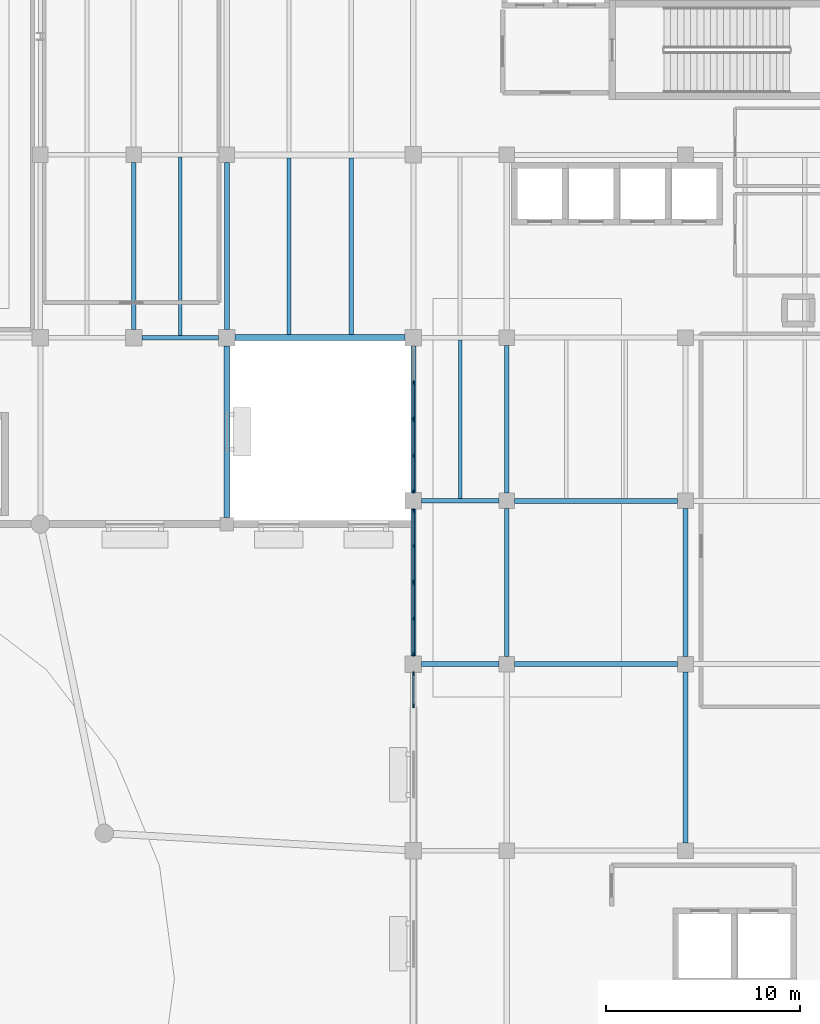
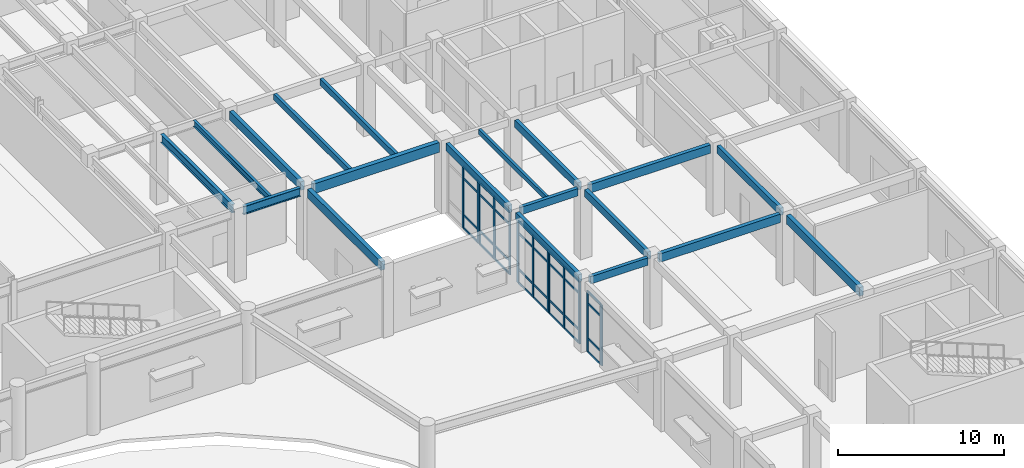
# One storey, part 19 of 54: 45 members, 19 beams, 5 elements without a shape of their own.
"""IFC4 building model written with IfcOpenShell, lengths in metres."""

import ifcopenshell
import ifcopenshell.guid

model = None  # the IFC model being written
_history = None  # IfcOwnerHistory: only IFC2X3 demands one
_inside = {}  # id of a spatial element -> (the spatial element, [elements in it])
_under = {}  # id of a project, library or spatial element -> (it, [spatial elements below it])
_declared = {}  # id of a project -> (the project, [libraries it declares])
_typed = {}  # id of a type object -> (the type object, [elements of that type])
_made_of = {}  # id of a material, layer set ... -> (it, [elements and type objects made of it])


def new_model(schema):
    """Start an empty IFC model of exactly this schema.

    Asked for "IFC4X3", IfcOpenShell would pick the latest addendum, in which some entities
    have other attributes; the version numbers below select the first issue.
    IFC2X3 requires an IfcOwnerHistory on every rooted entity: one is made here for all.
    """
    global model, _history
    if schema == "IFC4X3":
        model = ifcopenshell.file(schema_version=(4, 3, 0, 0))
    else:
        model = ifcopenshell.file(schema=schema)
    _inside.clear()
    _under.clear()
    _declared.clear()
    _typed.clear()
    _made_of.clear()
    _history = None
    if model.schema == "IFC2X3":
        org = make("IfcOrganization", Name="unknown")
        user = make(
            "IfcPersonAndOrganization",
            ThePerson=make("IfcPerson", FamilyName="unknown"),
            TheOrganization=org,
        )
        app = make(
            "IfcApplication",
            ApplicationDeveloper=org,
            Version="unknown",
            ApplicationFullName="unknown",
            ApplicationIdentifier="unknown",
        )
        _history = make(
            "IfcOwnerHistory",
            OwningUser=user,
            OwningApplication=app,
            ChangeAction="ADDED",
            CreationDate=0,
        )
    return model


def make(cls, **values):
    """One entity of the class cls with the attributes given. An attribute that is None is left unset."""
    return model.create_entity(
        cls, **{name: value for name, value in values.items() if value is not None}
    )


def rooted(cls, **values):
    """An entity with a GlobalId (a new one), such as an element, a storey or a relation."""
    return make(cls, GlobalId=ifcopenshell.guid.new(), OwnerHistory=_history, **values)


def si_unit(unit_type, name, prefix=None):
    """IfcSIUnit, for example si_unit("LENGTHUNIT", "METRE", prefix="MILLI")."""
    return make("IfcSIUnit", UnitType=unit_type, Prefix=prefix, Name=name)


def assignment(units):
    """IfcUnitAssignment: the units of a project."""
    return None if units is None else make("IfcUnitAssignment", Units=units)


def point(xyz):
    """IfcCartesianPoint."""
    return None if xyz is None else make("IfcCartesianPoint", Coordinates=xyz)


def direction(xyz):
    """IfcDirection."""
    return None if xyz is None else make("IfcDirection", DirectionRatios=xyz)


def frame(location, z_axis=None, x_axis=None):
    """IfcAxis2Placement3D, a coordinate frame: its origin and axes. An axis left out is left unset."""
    return make(
        "IfcAxis2Placement3D",
        Location=point(location),
        Axis=direction(z_axis),
        RefDirection=direction(x_axis),
    )


def frame_2d(location, x_axis=None):
    """IfcAxis2Placement2D, a coordinate frame in the plane: its origin and x axis."""
    return make(
        "IfcAxis2Placement2D", Location=point(location), RefDirection=direction(x_axis)
    )


def origin():
    """The frame at (0, 0, 0) with its axes left unset."""
    return frame((0.0, 0.0, 0.0))


def origin_2d():
    """The frame at (0, 0) in the plane with its x axis left unset."""
    return frame_2d((0.0, 0.0))


def place(relative_to, where):
    """IfcLocalPlacement: puts the frame where relative to a parent placement (None: the world)."""
    return make(
        "IfcLocalPlacement", PlacementRelTo=relative_to, RelativePlacement=where
    )


def context(
    kind, dimensions, precision=None, world=None, true_north=None, identifier=None
):
    """IfcGeometricRepresentationContext, for example the 3D "Model" context."""
    return make(
        "IfcGeometricRepresentationContext",
        ContextIdentifier=identifier,
        ContextType=kind,
        CoordinateSpaceDimension=dimensions,
        Precision=precision,
        WorldCoordinateSystem=world,
        TrueNorth=true_north,
    )


def subcontext(parent, identifier, kind, view, scale=None):
    """IfcGeometricRepresentationSubContext, for example "Body" below "Model"."""
    return make(
        "IfcGeometricRepresentationSubContext",
        ContextIdentifier=identifier,
        ContextType=kind,
        ParentContext=parent,
        TargetScale=scale,
        TargetView=view,
    )


def project(units=None, contexts=None):
    """IfcProject with its units and contexts."""
    return rooted(
        "IfcProject",
        Name="project",
        RepresentationContexts=contexts,
        UnitsInContext=assignment(units),
    )


def spatial(cls, under=None, at=None, **own):
    """A site, building, storey or space (cls), placed at a placement, below another one or the project."""
    s = rooted(cls, ObjectPlacement=at, **own)
    if under is not None:
        _under.setdefault(under.id(), (under, []))[1].append(s)
    return s


def profile(cls, at=None, kind="AREA", **sizes):
    """A parametric profile (cls). Its sizes go by their IFC names, for example OverallWidth=200.0."""
    return make(cls, ProfileType=kind, Position=at, **sizes)


def rectangle(**sizes):
    """IfcRectangleProfileDef."""
    return profile("IfcRectangleProfileDef", **sizes)


def i_section(**sizes):
    """IfcIShapeProfileDef."""
    return profile("IfcIShapeProfileDef", **sizes)


def extrude(swept, where, along, depth):
    """IfcExtrudedAreaSolid: the profile swept, set in the frame where, extruded along a direction by depth."""
    return make(
        "IfcExtrudedAreaSolid",
        SweptArea=swept,
        Position=where,
        ExtrudedDirection=direction(along),
        Depth=depth,
    )


def shape(context_of_items, identifier, shape_type, items):
    """IfcShapeRepresentation: the items that make up one representation, for example the "Body"."""
    return make(
        "IfcShapeRepresentation",
        ContextOfItems=context_of_items,
        RepresentationIdentifier=identifier,
        RepresentationType=shape_type,
        Items=items,
    )


def material(Name=None, Category=None):
    """IfcMaterial."""
    return make("IfcMaterial", Name=Name, Category=Category)


def material_profile(
    of_material, cross_section, Name=None, Category=None, Priority=None
):
    """IfcMaterialProfile: a cross section and its material."""
    return make(
        "IfcMaterialProfile",
        Name=Name,
        Material=of_material,
        Profile=cross_section,
        Priority=Priority,
        Category=Category,
    )


def profile_set(profiles, Name=None, composite=None):
    """IfcMaterialProfileSet."""
    return make(
        "IfcMaterialProfileSet",
        Name=Name,
        MaterialProfiles=profiles,
        CompositeProfile=composite,
    )


def made_of(thing, what):
    """Note that an element or type object is made of a material, layer set ...; save() writes the relation."""
    if what is not None:
        _made_of.setdefault(what.id(), (what, []))[1].append(thing)
    return thing


def type_object(cls, material=None, **own):
    """A type object (cls), such as IfcWallType, which elements share."""
    return made_of(rooted(cls, **own), material)


def element(
    cls,
    number,
    at=None,
    inside=None,
    cuts=None,
    type_object=None,
    material=None,
    context=None,
    identifier="Body",
    shape_type=None,
    held_by="IfcProductDefinitionShape",
    body=None,
    shapes=None,
    **own,
):
    """One element of the class cls, such as IfcWall. Its Tag is "e" and its number.

    at: its placement. inside: the storey or other place that contains it. cuts: it is an
    opening in that element (IfcRelVoidsElement). A single representation is given by context,
    identifier, shape_type and body (its items); several are given by shapes. held_by: the class
    of the entity that holds the representations. save() writes the other relations.
    """
    e = rooted(cls, Tag="e%d" % number, ObjectPlacement=at, **own)
    if body is not None:
        shapes = [shape(context, identifier, shape_type, body)]
    if shapes is not None:
        e.Representation = make(held_by, Representations=shapes)
    if inside is not None:
        _inside.setdefault(inside.id(), (inside, []))[1].append(e)
    if cuts is not None:
        rooted(
            "IfcRelVoidsElement", RelatingBuildingElement=cuts, RelatedOpeningElement=e
        )
    if type_object is not None:
        _typed.setdefault(type_object.id(), (type_object, []))[1].append(e)
    return made_of(e, material)


def aggregate(whole, parts):
    """IfcRelAggregates: a whole, such as a stair, and the parts it consists of."""
    return rooted("IfcRelAggregates", RelatingObject=whole, RelatedObjects=parts)


def save(model, path):
    """Write the relations noted so far, then the file.

    IfcRelAggregates (storeys below a building ...), IfcRelContainedInSpatialStructure (elements
    in a storey), IfcRelDefinesByType, IfcRelAssociatesMaterial and IfcRelDeclares: one each for
    every whole, place, type object, material and project.
    """
    for whole, parts in _under.values():
        aggregate(whole, parts)
    for where, things in _inside.values():
        rooted(
            "IfcRelContainedInSpatialStructure",
            RelatedElements=things,
            RelatingStructure=where,
        )
    for kind, things in _typed.values():
        rooted("IfcRelDefinesByType", RelatedObjects=things, RelatingType=kind)
    for what, things in _made_of.values():
        rooted("IfcRelAssociatesMaterial", RelatedObjects=things, RelatingMaterial=what)
    for by, libraries in _declared.values():
        rooted("IfcRelDeclares", RelatingContext=by, RelatedDefinitions=libraries)
    model.write(path)


model = new_model("IFC4")

# Units and contexts
model_context = context("Model", 3, precision=1e-05, world=origin(), true_north=direction((0.0, 1.0)))
body_context = subcontext(model_context, "Body", "Model", "MODEL_VIEW")
ifc_project = project(units=[si_unit("LENGTHUNIT", "METRE"), si_unit("AREAUNIT", "SQUARE_METRE"), si_unit("VOLUMEUNIT", "CUBIC_METRE"), si_unit("PLANEANGLEUNIT", "RADIAN"), si_unit("MASSUNIT", "GRAM", prefix="KILO")], contexts=[model_context])

# Site, building, storey
site_placement = place(None, origin())
site = spatial("IfcSite", under=ifc_project, at=site_placement, CompositionType="ELEMENT")
building_placement = place(site_placement, origin())
building = spatial("IfcBuilding", under=site, at=building_placement, Name="Veldera Park Congress Hotel", CompositionType="ELEMENT")
storey_placement = place(building_placement, origin())
storey = spatial("IfcBuildingStorey", under=building, at=storey_placement, Name="L00", CompositionType="ELEMENT", Elevation=0.0)

# Beams
ifc_material_1 = material(Name="Glulam GL28h (NDS 24F-V4)", Category="wood")
ifc_material_profile_1 = material_profile(ifc_material_1, rectangle(XDim=0.239990234375, YDim=0.5400390625, at=origin_2d()), Name="GL28h 240x540")
ifc_profile_set_1 = profile_set([ifc_material_profile_1], Name="Glulam GL28h (NDS 24F-V4)")
beam_type_1 = type_object("IfcBeamType", Name="BM-GL540", PredefinedType="BEAM", material=ifc_profile_set_1)
for number, where, z_axis, x_axis, name in (
    (1, (61.22509765625, 10.199951171875, 4.85009765625), (1.0, 0.0, 0.0), (0.0, 1.0, 0.0), "L00 Girder BM-GL540 321"),
    (2, (61.22509765625, 18.60009765625, 4.85009765625), (1.0, 0.0, 0.0), (0.0, 1.0, 0.0), "L00 Girder BM-GL540 333"),
):
    element("IfcBeam", number, at=place(storey_placement, frame(where, z_axis=z_axis, x_axis=x_axis)), inside=storey, type_object=beam_type_1, Name=name, PredefinedType="BEAM", context=body_context, shape_type="SweptSolid", body=[
        extrude(rectangle(XDim=0.239990234375, YDim=0.5400390625, at=origin_2d()), origin(), (0.0, 0.0, 1.0), 3.974853515625),
    ])
for number, where, z_axis, x_axis, name in (
    (3, (60.800048828125, 10.625, 4.85009765625), (0.0, 1.0, 0.0), (-1.0, 0.0, 0.0), "L00 Girder BM-GL540 459"),
    (4, (60.800048828125, 19.02490234375, 4.85009765625), (0.0, 1.0, 0.0), (-1.0, 0.0, 0.0), "L00 Girder BM-GL540 460"),
):
    element("IfcBeam", number, at=place(storey_placement, frame(where, z_axis=z_axis, x_axis=x_axis)), inside=storey, type_object=beam_type_1, Name=name, PredefinedType="BEAM", context=body_context, shape_type="SweptSolid", body=[
        extrude(rectangle(XDim=0.239990234375, YDim=0.5400390625, at=origin_2d()), origin(), (0.0, 0.0, 1.0), 7.550048828125),
    ])
beam_1_placement = place(storey_placement, frame((65.60009765625, 10.60009765625, 4.85009765625), z_axis=(0.0, 1.0, 0.0), x_axis=(-1.0, 0.0, 0.0)))
element("IfcBeam", 5, at=beam_1_placement, inside=storey, type_object=beam_type_1, Name="L00 Girder BM-GL540 466", PredefinedType="BEAM", context=body_context, shape_type="SweptSolid", body=[
    extrude(rectangle(XDim=0.239990234375, YDim=0.5400390625, at=origin_2d()), origin(), (0.0, 0.0, 1.0), 7.599853515625),
])
beam_2_placement = place(storey_placement, frame((65.60009765625, 19.0, 4.85009765625), z_axis=(0.0, 1.0, 0.0), x_axis=(-1.0, 0.0, 0.0)))
element("IfcBeam", 6, at=beam_2_placement, inside=storey, type_object=beam_type_1, Name="L00 Girder BM-GL540 467", PredefinedType="BEAM", context=body_context, shape_type="SweptSolid", body=[
    extrude(rectangle(XDim=0.239990234375, YDim=0.5400390625, at=origin_2d()), origin(), (0.0, 0.0, 1.0), 7.60009765625),
])
beam_3_placement = place(storey_placement, frame((74.800048828125, 10.60009765625, 4.85009765625), z_axis=(0.0, 1.0, 0.0), x_axis=(-1.0, 0.0, 0.0)))
element("IfcBeam", 7, at=beam_3_placement, inside=storey, type_object=beam_type_1, Name="L00 Girder BM-GL540 475", PredefinedType="BEAM", context=body_context, shape_type="SweptSolid", body=[
    extrude(rectangle(XDim=0.239990234375, YDim=0.5400390625, at=origin_2d()), origin(), (0.0, 0.0, 1.0), 7.599853515625),
])
ifc_material_profile_2 = material_profile(ifc_material_1, rectangle(XDim=0.264892578125, YDim=0.6201171875, at=origin_2d()), Name="GL28h 265x620")
ifc_profile_set_2 = profile_set([ifc_material_profile_2], Name="Glulam GL28h (NDS 24F-V4)")
beam_type_2 = type_object("IfcBeamType", Name="BM-GL620", PredefinedType="BEAM", material=ifc_profile_set_2)
for number, where, z_axis, x_axis, name in (
    (8, (66.0, 10.199951171875, 4.81005859375), (1.0, 0.0, 0.0), (0.0, 1.0, 0.0), "L00 Girder BM-GL620 322"),
    (9, (66.0, 18.60009765625, 4.81005859375), (1.0, 0.0, 0.0), (0.0, 1.0, 0.0), "L00 Girder BM-GL620 334"),
):
    element("IfcBeam", number, at=place(storey_placement, frame(where, z_axis=z_axis, x_axis=x_axis)), inside=storey, type_object=beam_type_2, Name=name, PredefinedType="BEAM", context=body_context, shape_type="SweptSolid", body=[
        extrude(rectangle(XDim=0.264892578125, YDim=0.6201171875, at=origin_2d()), origin(), (0.0, 0.0, 1.0), 8.39990234375),
    ])
beam_4_placement = place(storey_placement, frame((51.199951171875, 27.425048828125, 4.81005859375), z_axis=(0.0, 1.0, 0.0), x_axis=(-1.0, 0.0, 0.0)))
element("IfcBeam", 10, at=beam_4_placement, inside=storey, type_object=beam_type_2, Name="L00 Girder BM-GL620 448", PredefinedType="BEAM", context=body_context, shape_type="SweptSolid", body=[
    extrude(rectangle(XDim=0.264892578125, YDim=0.6201171875, at=origin_2d()), origin(), (0.0, 0.0, 1.0), 8.574951171875),
])
ifc_material_profile_3 = material_profile(ifc_material_1, rectangle(XDim=0.280029296875, YDim=0.639892578125, at=origin_2d()), Name="GL28h 280x640")
ifc_profile_set_3 = profile_set([ifc_material_profile_3], Name="Glulam GL28h (NDS 24F-V4)")
beam_type_3 = type_object("IfcBeamType", Name="BM-GL640", PredefinedType="BEAM", material=ifc_profile_set_3)
beam_5_placement = place(storey_placement, frame((51.199951171875, 17.75, 4.800048828125), z_axis=(0.0, 1.0, 0.0), x_axis=(-1.0, 0.0, 0.0)))
element("IfcBeam", 11, at=beam_5_placement, inside=storey, type_object=beam_type_3, Name="L00 Girder BM-GL640 447", PredefinedType="BEAM", context=body_context, shape_type="SweptSolid", body=[
    extrude(rectangle(XDim=0.280029296875, YDim=0.639892578125, at=origin_2d()), origin(), (0.0, 0.0, 1.0), 8.824951171875),
])
beam_6_placement = place(storey_placement, frame((74.800048828125, 1.0, 4.800048828125), z_axis=(0.0, 1.0, 0.0), x_axis=(-1.0, 0.0, 0.0)))
element("IfcBeam", 12, at=beam_6_placement, inside=storey, type_object=beam_type_3, Name="L00 Girder BM-GL640 474", PredefinedType="BEAM", context=body_context, shape_type="SweptSolid", body=[
    extrude(rectangle(XDim=0.280029296875, YDim=0.639892578125, at=origin_2d()), origin(), (0.0, 0.0, 1.0), 8.800048828125),
])
ifc_material_profile_4 = material_profile(ifc_material_1, rectangle(XDim=0.31494140625, YDim=0.719970703125, at=origin_2d()), Name="GL28h 315x720")
ifc_profile_set_4 = profile_set([ifc_material_profile_4], Name="Glulam GL28h (NDS 24F-V4)")
beam_type_4 = type_object("IfcBeamType", Name="BM-GL720", PredefinedType="BEAM", material=ifc_profile_set_4)
beam_7_placement = place(storey_placement, frame((51.625, 27.0, 4.760009765625), z_axis=(1.0, 0.0, 0.0), x_axis=(0.0, 1.0, 0.0)))
element("IfcBeam", 13, at=beam_7_placement, inside=storey, type_object=beam_type_4, Name="L00 Girder BM-GL720 349", PredefinedType="BEAM", context=body_context, shape_type="SweptSolid", body=[
    extrude(rectangle(XDim=0.31494140625, YDim=0.719970703125, at=origin_2d()), origin(), (0.0, 0.0, 1.0), 8.75),
])
ifc_material_2 = material(Name="Steel ASTM A992 Gr.50", Category="steel")
ifc_material_profile_5 = material_profile(ifc_material_2, i_section(OverallWidth=0.22900390625, OverallDepth=0.612060546875, WebThickness=0.011962890625, FlangeThickness=0.01953125, at=origin_2d()), Name="W24X84")
ifc_profile_set_5 = profile_set([ifc_material_profile_5], Name="Steel ASTM A992 Gr.50")
beam_type_5 = type_object("IfcBeamType", Name="BM-W24", PredefinedType="BEAM", material=ifc_profile_set_5)
beam_8_placement = place(storey_placement, frame((46.824951171875, 27.0, 4.81396484375), z_axis=(1.0, 0.0, 0.0), x_axis=(0.0, 1.0, 0.0)))
element("IfcBeam", 14, at=beam_8_placement, inside=storey, type_object=beam_type_5, Name="L00 Girder BM-W24 348", PredefinedType="BEAM", context=body_context, shape_type="SweptSolid", body=[
    extrude(i_section(OverallWidth=0.22900390625, OverallDepth=0.612060546875, WebThickness=0.011962890625, FlangeThickness=0.01953125, at=origin_2d()), origin(), (0.0, 0.0, 1.0), 3.949951171875),
])
ifc_material_profile_6 = material_profile(ifc_material_2, i_section(OverallWidth=0.22998046875, OverallDepth=0.616943359375, WebThickness=0.01318359375, FlangeThickness=0.022216796875, at=origin_2d()), Name="W24X94")
ifc_profile_set_6 = profile_set([ifc_material_profile_6], Name="Steel ASTM A992 Gr.50")
beam_type_6 = type_object("IfcBeamType", Name="BM-W24B", PredefinedType="BEAM", material=ifc_profile_set_6)
beam_9_placement = place(storey_placement, frame((46.39990234375, 27.425048828125, 4.8115234375), z_axis=(0.0, 1.0, 0.0), x_axis=(-1.0, 0.0, 0.0)))
element("IfcBeam", 15, at=beam_9_placement, inside=storey, type_object=beam_type_6, Name="L00 Girder BM-W24B 444", PredefinedType="BEAM", context=body_context, shape_type="SweptSolid", body=[
    extrude(i_section(OverallWidth=0.22998046875, OverallDepth=0.616943359375, WebThickness=0.01318359375, FlangeThickness=0.022216796875, at=origin_2d()), origin(), (0.0, 0.0, 1.0), 8.574951171875),
])

# Curtain wall, members
ifc_material_3 = material(Name="Low-E Triple Insulating Glass Unit (SHGC 0.22)", Category="glass")
curtain_wall_type = type_object("IfcCurtainWallType", Name="CW-HTL", PredefinedType="NOTDEFINED", material=ifc_material_3)
curtain_wall_1_placement = place(storey_placement, origin())
curtain_wall_1 = element("IfcCurtainWall", 16, at=curtain_wall_1_placement, inside=storey, type_object=curtain_wall_type, Name="L00 Curtain Wall CW3-HTLW-L00-085", PredefinedType="NOTDEFINED")
ifc_material_4 = material(Name="Anodised Aluminium Alloy 6063-T6", Category="aluminium")
ifc_material_profile_7 = material_profile(ifc_material_4, rectangle(XDim=0.074951171875, YDim=0.199951171875, at=origin_2d()), Name="ALU 75x200")
ifc_profile_set_7 = profile_set([ifc_material_profile_7], Name="Anodised Aluminium Alloy 6063-T6")
member_type_1 = type_object("IfcMemberType", Name="CWM-200", PredefinedType="MULLION", material=ifc_profile_set_7)
member_1_placement = place(storey_placement, frame((60.800048828125, 24.675048828125, 0.0), z_axis=(0.0, 0.0, 1.0), x_axis=(1.0, 0.0, 0.0)))
member_1 = element("IfcMember", 17, at=member_1_placement, type_object=member_type_1, Name="CW-HTL mullion 2", PredefinedType="MULLION", context=body_context, shape_type="SweptSolid", body=[
    extrude(rectangle(XDim=0.074951171875, YDim=0.199951171875, at=origin_2d()), origin(), (0.0, 0.0, 1.0), 4.574951171875),
])
member_2_placement = place(storey_placement, frame((60.800048828125, 22.8525390625, 0.0), z_axis=(0.0, 0.0, 1.0), x_axis=(1.0, 0.0, 0.0)))
member_2 = element("IfcMember", 18, at=member_2_placement, type_object=member_type_1, Name="CW-HTL mullion 3", PredefinedType="MULLION", context=body_context, shape_type="SweptSolid", body=[
    extrude(rectangle(XDim=0.074951171875, YDim=0.199951171875, at=origin_2d()), origin(), (0.0, 0.0, 1.0), 4.574951171875),
])

curtain_wall_2_placement = place(storey_placement, origin())
curtain_wall_2 = element("IfcCurtainWall", 19, at=curtain_wall_2_placement, inside=storey, type_object=curtain_wall_type, Name="L00 Curtain Wall CW3-HTLW-L00-086", PredefinedType="NOTDEFINED")
member_3_placement = place(storey_placement, frame((60.800048828125, 22.74755859375, 0.0), z_axis=(0.0, 0.0, 1.0), x_axis=(1.0, 0.0, 0.0)))
member_3 = element("IfcMember", 20, at=member_3_placement, type_object=member_type_1, Name="CW-HTL mullion 1", PredefinedType="MULLION", context=body_context, shape_type="SweptSolid", body=[
    extrude(rectangle(XDim=0.074951171875, YDim=0.199951171875, at=origin_2d()), origin(), (0.0, 0.0, 1.0), 4.574951171875),
])
member_4_placement = place(storey_placement, frame((60.800048828125, 20.925048828125, 0.0), z_axis=(0.0, 0.0, 1.0), x_axis=(1.0, 0.0, 0.0)))
member_4 = element("IfcMember", 21, at=member_4_placement, type_object=member_type_1, Name="CW-HTL mullion 2", PredefinedType="MULLION", context=body_context, shape_type="SweptSolid", body=[
    extrude(rectangle(XDim=0.074951171875, YDim=0.199951171875, at=origin_2d()), origin(), (0.0, 0.0, 1.0), 4.574951171875),
])
member_5_placement = place(storey_placement, frame((60.800048828125, 19.1025390625, 0.0), z_axis=(0.0, 0.0, 1.0), x_axis=(1.0, 0.0, 0.0)))
member_5 = element("IfcMember", 22, at=member_5_placement, type_object=member_type_1, Name="CW-HTL mullion 3", PredefinedType="MULLION", context=body_context, shape_type="SweptSolid", body=[
    extrude(rectangle(XDim=0.074951171875, YDim=0.199951171875, at=origin_2d()), origin(), (0.0, 0.0, 1.0), 4.574951171875),
])

curtain_wall_3_placement = place(storey_placement, origin())
curtain_wall_3 = element("IfcCurtainWall", 23, at=curtain_wall_3_placement, inside=storey, type_object=curtain_wall_type, Name="L00 Curtain Wall CW3-HTLW-L00-087", PredefinedType="NOTDEFINED")
member_6_placement = place(storey_placement, frame((60.800048828125, 18.097412109375, 0.0), z_axis=(0.0, 0.0, 1.0), x_axis=(1.0, 0.0, 0.0)))
member_6 = element("IfcMember", 24, at=member_6_placement, type_object=member_type_1, Name="CW-HTL mullion 1", PredefinedType="MULLION", context=body_context, shape_type="SweptSolid", body=[
    extrude(rectangle(XDim=0.074951171875, YDim=0.199951171875, at=origin_2d()), origin(), (0.0, 0.0, 1.0), 4.574951171875),
])
member_7_placement = place(storey_placement, frame((60.800048828125, 16.27490234375, 0.0), z_axis=(0.0, 0.0, 1.0), x_axis=(1.0, 0.0, 0.0)))
member_7 = element("IfcMember", 25, at=member_7_placement, type_object=member_type_1, Name="CW-HTL mullion 2", PredefinedType="MULLION", context=body_context, shape_type="SweptSolid", body=[
    extrude(rectangle(XDim=0.074951171875, YDim=0.199951171875, at=origin_2d()), origin(), (0.0, 0.0, 1.0), 4.574951171875),
])
member_8_placement = place(storey_placement, frame((60.800048828125, 14.452392578125, 0.0), z_axis=(0.0, 0.0, 1.0), x_axis=(1.0, 0.0, 0.0)))
member_8 = element("IfcMember", 26, at=member_8_placement, type_object=member_type_1, Name="CW-HTL mullion 3", PredefinedType="MULLION", context=body_context, shape_type="SweptSolid", body=[
    extrude(rectangle(XDim=0.074951171875, YDim=0.199951171875, at=origin_2d()), origin(), (0.0, 0.0, 1.0), 4.574951171875),
])

curtain_wall_4_placement = place(storey_placement, origin())
curtain_wall_4 = element("IfcCurtainWall", 27, at=curtain_wall_4_placement, inside=storey, type_object=curtain_wall_type, Name="L00 Curtain Wall CW3-HTLW-L00-088", PredefinedType="NOTDEFINED")
member_9_placement = place(storey_placement, frame((60.800048828125, 14.347412109375, 0.0), z_axis=(0.0, 0.0, 1.0), x_axis=(1.0, 0.0, 0.0)))
member_9 = element("IfcMember", 28, at=member_9_placement, type_object=member_type_1, Name="CW-HTL mullion 1", PredefinedType="MULLION", context=body_context, shape_type="SweptSolid", body=[
    extrude(rectangle(XDim=0.074951171875, YDim=0.199951171875, at=origin_2d()), origin(), (0.0, 0.0, 1.0), 4.574951171875),
])
member_10_placement = place(storey_placement, frame((60.800048828125, 12.52490234375, 0.0), z_axis=(0.0, 0.0, 1.0), x_axis=(1.0, 0.0, 0.0)))
member_10 = element("IfcMember", 29, at=member_10_placement, type_object=member_type_1, Name="CW-HTL mullion 2", PredefinedType="MULLION", context=body_context, shape_type="SweptSolid", body=[
    extrude(rectangle(XDim=0.074951171875, YDim=0.199951171875, at=origin_2d()), origin(), (0.0, 0.0, 1.0), 4.574951171875),
])
member_11_placement = place(storey_placement, frame((60.800048828125, 10.702392578125, 0.0), z_axis=(0.0, 0.0, 1.0), x_axis=(1.0, 0.0, 0.0)))
member_11 = element("IfcMember", 30, at=member_11_placement, type_object=member_type_1, Name="CW-HTL mullion 3", PredefinedType="MULLION", context=body_context, shape_type="SweptSolid", body=[
    extrude(rectangle(XDim=0.074951171875, YDim=0.199951171875, at=origin_2d()), origin(), (0.0, 0.0, 1.0), 4.574951171875),
])

curtain_wall_5_placement = place(storey_placement, origin())
curtain_wall_5 = element("IfcCurtainWall", 31, at=curtain_wall_5_placement, inside=storey, type_object=curtain_wall_type, Name="L00 Curtain Wall CW3-HTLW-L00-089", PredefinedType="NOTDEFINED")
member_12_placement = place(storey_placement, frame((60.800048828125, 9.697509765625, 0.0), z_axis=(0.0, 0.0, 1.0), x_axis=(1.0, 0.0, 0.0)))
member_12 = element("IfcMember", 32, at=member_12_placement, type_object=member_type_1, Name="CW-HTL mullion 1", PredefinedType="MULLION", context=body_context, shape_type="SweptSolid", body=[
    extrude(rectangle(XDim=0.074951171875, YDim=0.199951171875, at=origin_2d()), origin(), (0.0, 0.0, 1.0), 4.47509765625),
])
member_13_placement = place(storey_placement, frame((60.800048828125, 8.052490234375, 0.0), z_axis=(0.0, 0.0, 1.0), x_axis=(1.0, 0.0, 0.0)))
member_13 = element("IfcMember", 33, at=member_13_placement, type_object=member_type_1, Name="CW-HTL mullion 2", PredefinedType="MULLION", context=body_context, shape_type="SweptSolid", body=[
    extrude(rectangle(XDim=0.074951171875, YDim=0.199951171875, at=origin_2d()), origin(), (0.0, 0.0, 1.0), 4.47509765625),
])

# Member
ifc_material_profile_8 = material_profile(ifc_material_4, rectangle(XDim=0.074951171875, YDim=0.14990234375, at=origin_2d()), Name="ALU 75x150")
ifc_profile_set_8 = profile_set([ifc_material_profile_8], Name="Anodised Aluminium Alloy 6063-T6")
member_type_2 = type_object("IfcMemberType", Name="CWT-150", PredefinedType="USERDEFINED", material=ifc_profile_set_8)
member_14_placement = place(storey_placement, frame((60.800048828125, 24.637451171875, 0.03759765625), z_axis=(0.0, -1.0, 0.0), x_axis=(1.0, 0.0, 0.0)))
member_14 = element("IfcMember", 34, at=member_14_placement, type_object=member_type_2, Name="CW-HTL transom 2.1", ObjectType="TRANSOM", PredefinedType="USERDEFINED", context=body_context, shape_type="SweptSolid", body=[
    extrude(rectangle(XDim=0.074951171875, YDim=0.14990234375, at=origin_2d()), origin(), (0.0, 0.0, 1.0), 1.74755859375),
])

member_15_placement = place(storey_placement, frame((60.800048828125, 24.637451171875, 1.0), z_axis=(0.0, -1.0, 0.0), x_axis=(1.0, 0.0, 0.0)))
member_15 = element("IfcMember", 35, at=member_15_placement, type_object=member_type_2, Name="CW-HTL transom 2.2", ObjectType="TRANSOM", PredefinedType="USERDEFINED", context=body_context, shape_type="SweptSolid", body=[
    extrude(rectangle(XDim=0.074951171875, YDim=0.14990234375, at=origin_2d()), origin(), (0.0, 0.0, 1.0), 1.74755859375),
])

member_16_placement = place(storey_placement, frame((60.800048828125, 24.637451171875, 3.675048828125), z_axis=(0.0, -1.0, 0.0), x_axis=(1.0, 0.0, 0.0)))
member_16 = element("IfcMember", 36, at=member_16_placement, type_object=member_type_2, Name="CW-HTL transom 2.3", ObjectType="TRANSOM", PredefinedType="USERDEFINED", context=body_context, shape_type="SweptSolid", body=[
    extrude(rectangle(XDim=0.074951171875, YDim=0.14990234375, at=origin_2d()), origin(), (0.0, 0.0, 1.0), 1.74755859375),
])

member_17_placement = place(storey_placement, frame((60.800048828125, 24.637451171875, 4.53759765625), z_axis=(0.0, -1.0, 0.0), x_axis=(1.0, 0.0, 0.0)))
member_17 = element("IfcMember", 37, at=member_17_placement, type_object=member_type_2, Name="CW-HTL transom 2.4", ObjectType="TRANSOM", PredefinedType="USERDEFINED", context=body_context, shape_type="SweptSolid", body=[
    extrude(rectangle(XDim=0.074951171875, YDim=0.14990234375, at=origin_2d()), origin(), (0.0, 0.0, 1.0), 1.74755859375),
])

aggregate(curtain_wall_1, [member_1, member_2, member_14, member_15, member_16, member_17])

member_18_placement = place(storey_placement, frame((60.800048828125, 22.7099609375, 0.03759765625), z_axis=(0.0, -1.0, 0.0), x_axis=(1.0, 0.0, 0.0)))
member_18 = element("IfcMember", 38, at=member_18_placement, type_object=member_type_2, Name="CW-HTL transom 1.1", ObjectType="TRANSOM", PredefinedType="USERDEFINED", context=body_context, shape_type="SweptSolid", body=[
    extrude(rectangle(XDim=0.074951171875, YDim=0.14990234375, at=origin_2d()), origin(), (0.0, 0.0, 1.0), 1.74755859375),
])

member_19_placement = place(storey_placement, frame((60.800048828125, 22.7099609375, 1.0), z_axis=(0.0, -1.0, 0.0), x_axis=(1.0, 0.0, 0.0)))
member_19 = element("IfcMember", 39, at=member_19_placement, type_object=member_type_2, Name="CW-HTL transom 1.2", ObjectType="TRANSOM", PredefinedType="USERDEFINED", context=body_context, shape_type="SweptSolid", body=[
    extrude(rectangle(XDim=0.074951171875, YDim=0.14990234375, at=origin_2d()), origin(), (0.0, 0.0, 1.0), 1.74755859375),
])

member_20_placement = place(storey_placement, frame((60.800048828125, 22.7099609375, 3.675048828125), z_axis=(0.0, -1.0, 0.0), x_axis=(1.0, 0.0, 0.0)))
member_20 = element("IfcMember", 40, at=member_20_placement, type_object=member_type_2, Name="CW-HTL transom 1.3", ObjectType="TRANSOM", PredefinedType="USERDEFINED", context=body_context, shape_type="SweptSolid", body=[
    extrude(rectangle(XDim=0.074951171875, YDim=0.14990234375, at=origin_2d()), origin(), (0.0, 0.0, 1.0), 1.74755859375),
])

member_21_placement = place(storey_placement, frame((60.800048828125, 22.7099609375, 4.53759765625), z_axis=(0.0, -1.0, 0.0), x_axis=(1.0, 0.0, 0.0)))
member_21 = element("IfcMember", 41, at=member_21_placement, type_object=member_type_2, Name="CW-HTL transom 1.4", ObjectType="TRANSOM", PredefinedType="USERDEFINED", context=body_context, shape_type="SweptSolid", body=[
    extrude(rectangle(XDim=0.074951171875, YDim=0.14990234375, at=origin_2d()), origin(), (0.0, 0.0, 1.0), 1.74755859375),
])

member_22_placement = place(storey_placement, frame((60.800048828125, 20.887451171875, 0.03759765625), z_axis=(0.0, -1.0, 0.0), x_axis=(1.0, 0.0, 0.0)))
member_22 = element("IfcMember", 42, at=member_22_placement, type_object=member_type_2, Name="CW-HTL transom 2.1", ObjectType="TRANSOM", PredefinedType="USERDEFINED", context=body_context, shape_type="SweptSolid", body=[
    extrude(rectangle(XDim=0.074951171875, YDim=0.14990234375, at=origin_2d()), origin(), (0.0, 0.0, 1.0), 1.74755859375),
])

member_23_placement = place(storey_placement, frame((60.800048828125, 20.887451171875, 1.0), z_axis=(0.0, -1.0, 0.0), x_axis=(1.0, 0.0, 0.0)))
member_23 = element("IfcMember", 43, at=member_23_placement, type_object=member_type_2, Name="CW-HTL transom 2.2", ObjectType="TRANSOM", PredefinedType="USERDEFINED", context=body_context, shape_type="SweptSolid", body=[
    extrude(rectangle(XDim=0.074951171875, YDim=0.14990234375, at=origin_2d()), origin(), (0.0, 0.0, 1.0), 1.74755859375),
])

member_24_placement = place(storey_placement, frame((60.800048828125, 20.887451171875, 3.675048828125), z_axis=(0.0, -1.0, 0.0), x_axis=(1.0, 0.0, 0.0)))
member_24 = element("IfcMember", 44, at=member_24_placement, type_object=member_type_2, Name="CW-HTL transom 2.3", ObjectType="TRANSOM", PredefinedType="USERDEFINED", context=body_context, shape_type="SweptSolid", body=[
    extrude(rectangle(XDim=0.074951171875, YDim=0.14990234375, at=origin_2d()), origin(), (0.0, 0.0, 1.0), 1.74755859375),
])

member_25_placement = place(storey_placement, frame((60.800048828125, 20.887451171875, 4.53759765625), z_axis=(0.0, -1.0, 0.0), x_axis=(1.0, 0.0, 0.0)))
member_25 = element("IfcMember", 45, at=member_25_placement, type_object=member_type_2, Name="CW-HTL transom 2.4", ObjectType="TRANSOM", PredefinedType="USERDEFINED", context=body_context, shape_type="SweptSolid", body=[
    extrude(rectangle(XDim=0.074951171875, YDim=0.14990234375, at=origin_2d()), origin(), (0.0, 0.0, 1.0), 1.74755859375),
])

aggregate(curtain_wall_2, [member_3, member_4, member_5, member_18, member_19, member_20, member_21, member_22, member_23, member_24, member_25])

member_26_placement = place(storey_placement, frame((60.800048828125, 18.06005859375, 0.03759765625), z_axis=(0.0, -1.0, 0.0), x_axis=(1.0, 0.0, 0.0)))
member_26 = element("IfcMember", 46, at=member_26_placement, type_object=member_type_2, Name="CW-HTL transom 1.1", ObjectType="TRANSOM", PredefinedType="USERDEFINED", context=body_context, shape_type="SweptSolid", body=[
    extrude(rectangle(XDim=0.074951171875, YDim=0.14990234375, at=origin_2d()), origin(), (0.0, 0.0, 1.0), 1.74755859375),
])

member_27_placement = place(storey_placement, frame((60.800048828125, 18.06005859375, 1.0), z_axis=(0.0, -1.0, 0.0), x_axis=(1.0, 0.0, 0.0)))
member_27 = element("IfcMember", 47, at=member_27_placement, type_object=member_type_2, Name="CW-HTL transom 1.2", ObjectType="TRANSOM", PredefinedType="USERDEFINED", context=body_context, shape_type="SweptSolid", body=[
    extrude(rectangle(XDim=0.074951171875, YDim=0.14990234375, at=origin_2d()), origin(), (0.0, 0.0, 1.0), 1.74755859375),
])

member_28_placement = place(storey_placement, frame((60.800048828125, 18.06005859375, 3.675048828125), z_axis=(0.0, -1.0, 0.0), x_axis=(1.0, 0.0, 0.0)))
member_28 = element("IfcMember", 48, at=member_28_placement, type_object=member_type_2, Name="CW-HTL transom 1.3", ObjectType="TRANSOM", PredefinedType="USERDEFINED", context=body_context, shape_type="SweptSolid", body=[
    extrude(rectangle(XDim=0.074951171875, YDim=0.14990234375, at=origin_2d()), origin(), (0.0, 0.0, 1.0), 1.74755859375),
])

member_29_placement = place(storey_placement, frame((60.800048828125, 18.06005859375, 4.53759765625), z_axis=(0.0, -1.0, 0.0), x_axis=(1.0, 0.0, 0.0)))
member_29 = element("IfcMember", 49, at=member_29_placement, type_object=member_type_2, Name="CW-HTL transom 1.4", ObjectType="TRANSOM", PredefinedType="USERDEFINED", context=body_context, shape_type="SweptSolid", body=[
    extrude(rectangle(XDim=0.074951171875, YDim=0.14990234375, at=origin_2d()), origin(), (0.0, 0.0, 1.0), 1.74755859375),
])

member_30_placement = place(storey_placement, frame((60.800048828125, 16.237548828125, 0.03759765625), z_axis=(0.0, -1.0, 0.0), x_axis=(1.0, 0.0, 0.0)))
member_30 = element("IfcMember", 50, at=member_30_placement, type_object=member_type_2, Name="CW-HTL transom 2.1", ObjectType="TRANSOM", PredefinedType="USERDEFINED", context=body_context, shape_type="SweptSolid", body=[
    extrude(rectangle(XDim=0.074951171875, YDim=0.14990234375, at=origin_2d()), origin(), (0.0, 0.0, 1.0), 1.74755859375),
])

member_31_placement = place(storey_placement, frame((60.800048828125, 16.237548828125, 1.0), z_axis=(0.0, -1.0, 0.0), x_axis=(1.0, 0.0, 0.0)))
member_31 = element("IfcMember", 51, at=member_31_placement, type_object=member_type_2, Name="CW-HTL transom 2.2", ObjectType="TRANSOM", PredefinedType="USERDEFINED", context=body_context, shape_type="SweptSolid", body=[
    extrude(rectangle(XDim=0.074951171875, YDim=0.14990234375, at=origin_2d()), origin(), (0.0, 0.0, 1.0), 1.74755859375),
])

member_32_placement = place(storey_placement, frame((60.800048828125, 16.237548828125, 3.675048828125), z_axis=(0.0, -1.0, 0.0), x_axis=(1.0, 0.0, 0.0)))
member_32 = element("IfcMember", 52, at=member_32_placement, type_object=member_type_2, Name="CW-HTL transom 2.3", ObjectType="TRANSOM", PredefinedType="USERDEFINED", context=body_context, shape_type="SweptSolid", body=[
    extrude(rectangle(XDim=0.074951171875, YDim=0.14990234375, at=origin_2d()), origin(), (0.0, 0.0, 1.0), 1.74755859375),
])

member_33_placement = place(storey_placement, frame((60.800048828125, 16.237548828125, 4.53759765625), z_axis=(0.0, -1.0, 0.0), x_axis=(1.0, 0.0, 0.0)))
member_33 = element("IfcMember", 53, at=member_33_placement, type_object=member_type_2, Name="CW-HTL transom 2.4", ObjectType="TRANSOM", PredefinedType="USERDEFINED", context=body_context, shape_type="SweptSolid", body=[
    extrude(rectangle(XDim=0.074951171875, YDim=0.14990234375, at=origin_2d()), origin(), (0.0, 0.0, 1.0), 1.74755859375),
])

aggregate(curtain_wall_3, [member_6, member_7, member_8, member_26, member_27, member_28, member_29, member_30, member_31, member_32, member_33])

member_34_placement = place(storey_placement, frame((60.800048828125, 14.31005859375, 0.03759765625), z_axis=(0.0, -1.0, 0.0), x_axis=(1.0, 0.0, 0.0)))
member_34 = element("IfcMember", 54, at=member_34_placement, type_object=member_type_2, Name="CW-HTL transom 1.1", ObjectType="TRANSOM", PredefinedType="USERDEFINED", context=body_context, shape_type="SweptSolid", body=[
    extrude(rectangle(XDim=0.074951171875, YDim=0.14990234375, at=origin_2d()), origin(), (0.0, 0.0, 1.0), 1.74755859375),
])

member_35_placement = place(storey_placement, frame((60.800048828125, 14.31005859375, 1.0), z_axis=(0.0, -1.0, 0.0), x_axis=(1.0, 0.0, 0.0)))
member_35 = element("IfcMember", 55, at=member_35_placement, type_object=member_type_2, Name="CW-HTL transom 1.2", ObjectType="TRANSOM", PredefinedType="USERDEFINED", context=body_context, shape_type="SweptSolid", body=[
    extrude(rectangle(XDim=0.074951171875, YDim=0.14990234375, at=origin_2d()), origin(), (0.0, 0.0, 1.0), 1.74755859375),
])

member_36_placement = place(storey_placement, frame((60.800048828125, 14.31005859375, 3.675048828125), z_axis=(0.0, -1.0, 0.0), x_axis=(1.0, 0.0, 0.0)))
member_36 = element("IfcMember", 56, at=member_36_placement, type_object=member_type_2, Name="CW-HTL transom 1.3", ObjectType="TRANSOM", PredefinedType="USERDEFINED", context=body_context, shape_type="SweptSolid", body=[
    extrude(rectangle(XDim=0.074951171875, YDim=0.14990234375, at=origin_2d()), origin(), (0.0, 0.0, 1.0), 1.74755859375),
])

member_37_placement = place(storey_placement, frame((60.800048828125, 14.31005859375, 4.53759765625), z_axis=(0.0, -1.0, 0.0), x_axis=(1.0, 0.0, 0.0)))
member_37 = element("IfcMember", 57, at=member_37_placement, type_object=member_type_2, Name="CW-HTL transom 1.4", ObjectType="TRANSOM", PredefinedType="USERDEFINED", context=body_context, shape_type="SweptSolid", body=[
    extrude(rectangle(XDim=0.074951171875, YDim=0.14990234375, at=origin_2d()), origin(), (0.0, 0.0, 1.0), 1.74755859375),
])

member_38_placement = place(storey_placement, frame((60.800048828125, 12.487548828125, 0.03759765625), z_axis=(0.0, -1.0, 0.0), x_axis=(1.0, 0.0, 0.0)))
member_38 = element("IfcMember", 58, at=member_38_placement, type_object=member_type_2, Name="CW-HTL transom 2.1", ObjectType="TRANSOM", PredefinedType="USERDEFINED", context=body_context, shape_type="SweptSolid", body=[
    extrude(rectangle(XDim=0.074951171875, YDim=0.14990234375, at=origin_2d()), origin(), (0.0, 0.0, 1.0), 1.74755859375),
])

member_39_placement = place(storey_placement, frame((60.800048828125, 12.487548828125, 1.0), z_axis=(0.0, -1.0, 0.0), x_axis=(1.0, 0.0, 0.0)))
member_39 = element("IfcMember", 59, at=member_39_placement, type_object=member_type_2, Name="CW-HTL transom 2.2", ObjectType="TRANSOM", PredefinedType="USERDEFINED", context=body_context, shape_type="SweptSolid", body=[
    extrude(rectangle(XDim=0.074951171875, YDim=0.14990234375, at=origin_2d()), origin(), (0.0, 0.0, 1.0), 1.74755859375),
])

member_40_placement = place(storey_placement, frame((60.800048828125, 12.487548828125, 3.675048828125), z_axis=(0.0, -1.0, 0.0), x_axis=(1.0, 0.0, 0.0)))
member_40 = element("IfcMember", 60, at=member_40_placement, type_object=member_type_2, Name="CW-HTL transom 2.3", ObjectType="TRANSOM", PredefinedType="USERDEFINED", context=body_context, shape_type="SweptSolid", body=[
    extrude(rectangle(XDim=0.074951171875, YDim=0.14990234375, at=origin_2d()), origin(), (0.0, 0.0, 1.0), 1.74755859375),
])

member_41_placement = place(storey_placement, frame((60.800048828125, 12.487548828125, 4.53759765625), z_axis=(0.0, -1.0, 0.0), x_axis=(1.0, 0.0, 0.0)))
member_41 = element("IfcMember", 61, at=member_41_placement, type_object=member_type_2, Name="CW-HTL transom 2.4", ObjectType="TRANSOM", PredefinedType="USERDEFINED", context=body_context, shape_type="SweptSolid", body=[
    extrude(rectangle(XDim=0.074951171875, YDim=0.14990234375, at=origin_2d()), origin(), (0.0, 0.0, 1.0), 1.74755859375),
])

aggregate(curtain_wall_4, [member_9, member_10, member_11, member_34, member_35, member_36, member_37, member_38, member_39, member_40, member_41])

member_42_placement = place(storey_placement, frame((60.800048828125, 9.659912109375, 0.03759765625), z_axis=(0.0, -1.0, 0.0), x_axis=(1.0, 0.0, 0.0)))
member_42 = element("IfcMember", 62, at=member_42_placement, type_object=member_type_2, Name="CW-HTL transom 1.1", ObjectType="TRANSOM", PredefinedType="USERDEFINED", context=body_context, shape_type="SweptSolid", body=[
    extrude(rectangle(XDim=0.074951171875, YDim=0.14990234375, at=origin_2d()), origin(), (0.0, 0.0, 1.0), 1.56982421875),
])

member_43_placement = place(storey_placement, frame((60.800048828125, 9.659912109375, 1.0), z_axis=(0.0, -1.0, 0.0), x_axis=(1.0, 0.0, 0.0)))
member_43 = element("IfcMember", 63, at=member_43_placement, type_object=member_type_2, Name="CW-HTL transom 1.2", ObjectType="TRANSOM", PredefinedType="USERDEFINED", context=body_context, shape_type="SweptSolid", body=[
    extrude(rectangle(XDim=0.074951171875, YDim=0.14990234375, at=origin_2d()), origin(), (0.0, 0.0, 1.0), 1.56982421875),
])

member_44_placement = place(storey_placement, frame((60.800048828125, 9.659912109375, 3.574951171875), z_axis=(0.0, -1.0, 0.0), x_axis=(1.0, 0.0, 0.0)))
member_44 = element("IfcMember", 64, at=member_44_placement, type_object=member_type_2, Name="CW-HTL transom 1.3", ObjectType="TRANSOM", PredefinedType="USERDEFINED", context=body_context, shape_type="SweptSolid", body=[
    extrude(rectangle(XDim=0.074951171875, YDim=0.14990234375, at=origin_2d()), origin(), (0.0, 0.0, 1.0), 1.56982421875),
])

member_45_placement = place(storey_placement, frame((60.800048828125, 9.659912109375, 4.4375), z_axis=(0.0, -1.0, 0.0), x_axis=(1.0, 0.0, 0.0)))
member_45 = element("IfcMember", 65, at=member_45_placement, type_object=member_type_2, Name="CW-HTL transom 1.4", ObjectType="TRANSOM", PredefinedType="USERDEFINED", context=body_context, shape_type="SweptSolid", body=[
    extrude(rectangle(XDim=0.074951171875, YDim=0.14990234375, at=origin_2d()), origin(), (0.0, 0.0, 1.0), 1.56982421875),
])

aggregate(curtain_wall_5, [member_12, member_13, member_42, member_43, member_44, member_45])

# Beams
ifc_material_profile_9 = material_profile(ifc_material_1, rectangle(XDim=0.179931640625, YDim=0.360107421875, at=origin_2d()), Name="GL28h 180x360")
ifc_profile_set_9 = profile_set([ifc_material_profile_9], Name="Glulam GL28h (NDS 24F-V4)")
beam_type_7 = type_object("IfcBeamType", Name="JST-GL360", PredefinedType="JOIST", material=ifc_profile_set_9)
beam_10_placement = place(storey_placement, frame((63.199951171875, 18.719970703125, 4.93994140625), z_axis=(0.0, 1.0, 0.0), x_axis=(-1.0, 0.0, 0.0)))
element("IfcBeam", 66, at=beam_10_placement, inside=storey, type_object=beam_type_7, Name="L00 Floor Joist JST-GL360 505", PredefinedType="JOIST", context=body_context, shape_type="SweptSolid", body=[
    extrude(rectangle(XDim=0.179931640625, YDim=0.360107421875, at=origin_2d()), origin(), (0.0, 0.0, 1.0), 8.159912109375),
])
ifc_material_profile_10 = material_profile(ifc_material_1, rectangle(XDim=0.215087890625, YDim=0.449951171875, at=origin_2d()), Name="GL28h 215x450")
ifc_profile_set_10 = profile_set([ifc_material_profile_10], Name="Glulam GL28h (NDS 24F-V4)")
beam_type_8 = type_object("IfcBeamType", Name="JST-GL450", PredefinedType="JOIST", material=ifc_profile_set_10)
for number, where, z_axis, x_axis, name in (
    (67, (54.39990234375, 27.157470703125, 4.89501953125), (0.0, 1.0, 0.0), (-1.0, 0.0, 0.0), "L00 Floor Joist JST-GL450 520"),
    (68, (57.60009765625, 27.157470703125, 4.89501953125), (0.0, 1.0, 0.0), (-1.0, 0.0, 0.0), "L00 Floor Joist JST-GL450 521"),
):
    element("IfcBeam", number, at=place(storey_placement, frame(where, z_axis=z_axis, x_axis=x_axis)), inside=storey, type_object=beam_type_8, Name=name, PredefinedType="JOIST", context=body_context, shape_type="SweptSolid", body=[
        extrude(rectangle(XDim=0.215087890625, YDim=0.449951171875, at=origin_2d()), origin(), (0.0, 0.0, 1.0), 9.0849609375),
    ])
ifc_material_profile_11 = material_profile(ifc_material_2, i_section(OverallWidth=0.19091796875, OverallDepth=0.45703125, WebThickness=0.009033203125, FlangeThickness=0.014404296875, at=origin_2d()), Name="W18X50")
ifc_profile_set_11 = profile_set([ifc_material_profile_11], Name="Steel ASTM A992 Gr.50")
beam_type_9 = type_object("IfcBeamType", Name="JST-W18", PredefinedType="JOIST", material=ifc_profile_set_11)
beam_11_placement = place(storey_placement, frame((48.800048828125, 27.114501953125, 4.8916015625), z_axis=(0.0, 1.0, 0.0), x_axis=(-1.0, 0.0, 0.0)))
element("IfcBeam", 69, at=beam_11_placement, inside=storey, type_object=beam_type_9, Name="L00 Floor Joist JST-W18 519", PredefinedType="JOIST", context=body_context, shape_type="SweptSolid", body=[
    extrude(i_section(OverallWidth=0.19091796875, OverallDepth=0.45703125, WebThickness=0.009033203125, FlangeThickness=0.014404296875, at=origin_2d()), origin(), (0.0, 0.0, 1.0), 9.1708984375),
])

save(model, "model.ifc")
